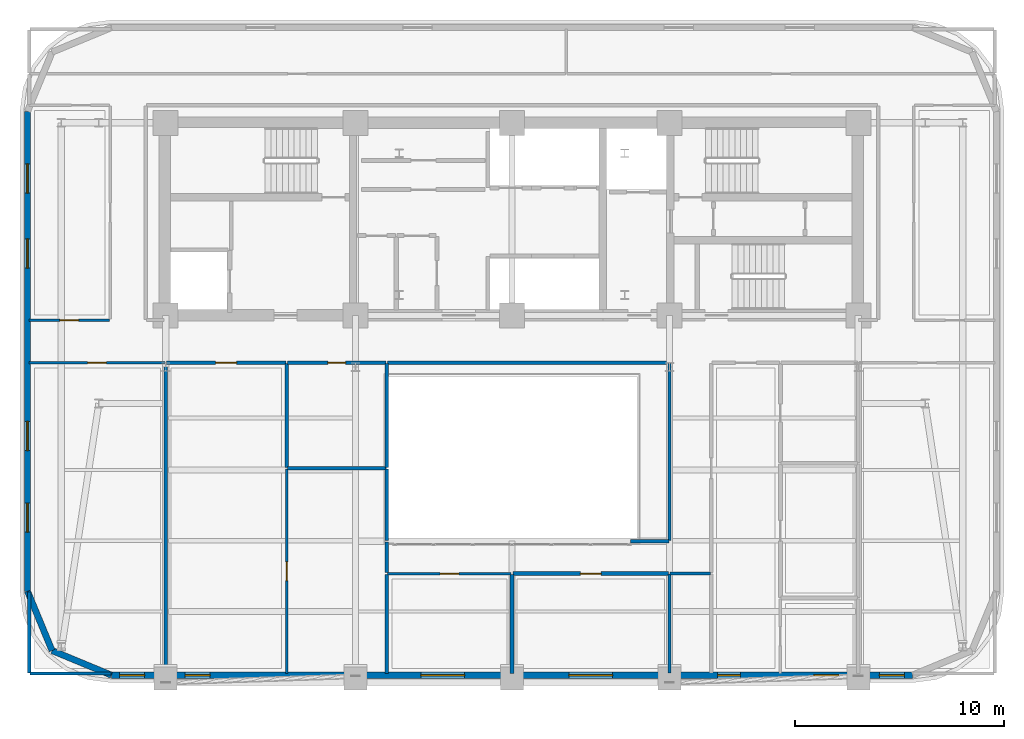
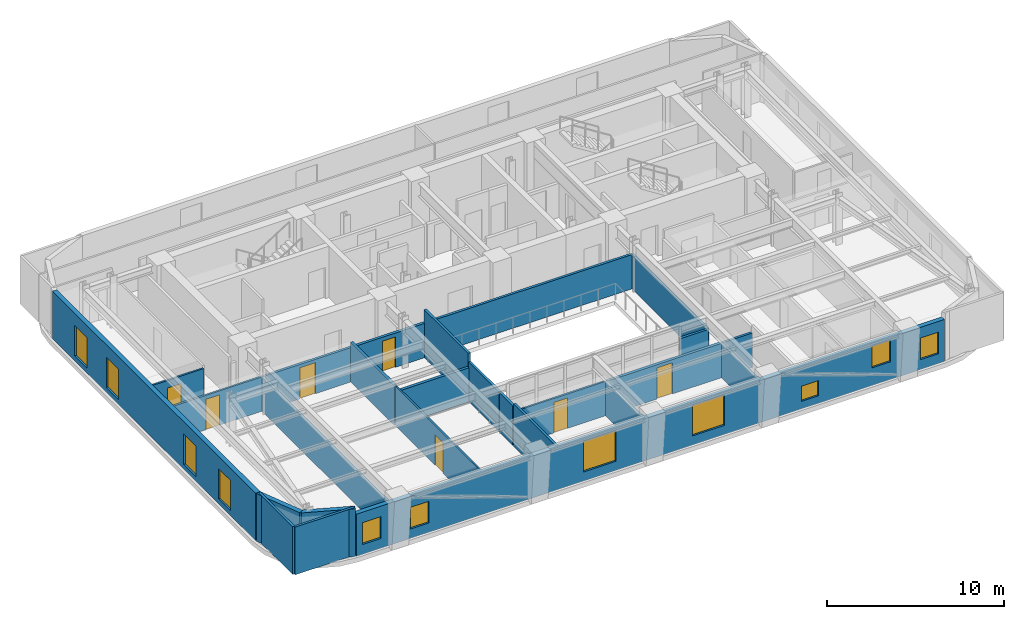
# One storey, part 6 of 12: 26 walls, 11 windows, 7 doors, 18 openings.
"""IFC4 building model written with IfcOpenShell, lengths in metres."""

from ifc_helpers import new_model, si_unit, direction, frame, frame_2d, origin, place, context, subcontext, project, spatial, rectangle, extrude, material, layer, layer_set, type_object, element, fill, save


model = new_model("IFC4")

# Units and contexts
model_context = context("Model", 3, precision=1e-05, world=origin(), true_north=direction((0.0, 1.0)))
body_context = subcontext(model_context, "Body", "Model", "MODEL_VIEW")
ifc_project = project(units=[si_unit("LENGTHUNIT", "METRE"), si_unit("AREAUNIT", "SQUARE_METRE"), si_unit("VOLUMEUNIT", "CUBIC_METRE"), si_unit("PLANEANGLEUNIT", "RADIAN"), si_unit("MASSUNIT", "GRAM", prefix="KILO")], contexts=[model_context])

# Site, building, storey
site_placement = place(None, origin())
site = spatial("IfcSite", under=ifc_project, at=site_placement, CompositionType="ELEMENT")
building_placement = place(site_placement, origin())
building = spatial("IfcBuilding", under=site, at=building_placement, Name="Zarnavel Station Tower", CompositionType="ELEMENT")
storey_placement = place(building_placement, frame((0.0, 0.0, 173.199951171875)))
storey = spatial("IfcBuildingStorey", under=building, at=storey_placement, Name="L47", CompositionType="ELEMENT", Elevation=173.199951171875)

# Wall, openings, windows
ifc_material_1 = material(Name="Precast concrete C45/55 (Dark Basalt Finish)", Category="masonry")
ifc_layer_1 = layer(ifc_material_1, 0.300048828125)
ifc_layer_set_1 = layer_set([ifc_layer_1], Name="EW_BASALT_300")
wall_type_1 = type_object("IfcWallType", Name="EW_BASALT_300", PredefinedType="SOLIDWALL", material=ifc_layer_set_1)
wall_1_placement = place(storey_placement, frame((5.580078125, 14.60009765625, 0.0), z_axis=(0.0, 0.0, 1.0), x_axis=(0.0, 1.0, 0.0)))
wall_1 = element("IfcWall", 1, at=wall_1_placement, inside=storey, type_object=wall_type_1, Name="L47 Exterior Basalt Masonry Frame Wall 09", PredefinedType="SOLIDWALL", context=body_context, shape_type="SweptSolid", body=[
    extrude(rectangle(XDim=23.0, YDim=0.300048828125, at=frame_2d((11.5, 0.0))), origin(), (0.0, 0.0, 1.0), 3.2900390625),
])
opening_1_placement = place(wall_1_placement, frame((15.493408203125, 0.0, 0.340087890625)))
opening_1 = element("IfcOpeningElement", 2, at=opening_1_placement, cuts=wall_1, Name="Opening WN04", PredefinedType="OPENING", context=body_context, shape_type="SweptSolid", body=[
    extrude(rectangle(XDim=1.39990234375, YDim=2.10009765625, at=frame_2d((0.699951171875, 1.050048828125))), frame((0.0, 0.159912109375, 0.0), z_axis=(0.0, -1.0, 0.0), x_axis=(1.0, 0.0, 0.0)), (0.0, 0.0, 1.0), 0.320068359375),
])
opening_2_placement = place(wall_1_placement, frame((19.086669921875, 0.0, 0.340087890625)))
opening_2 = element("IfcOpeningElement", 3, at=opening_2_placement, cuts=wall_1, Name="Opening WN04", PredefinedType="OPENING", context=body_context, shape_type="SweptSolid", body=[
    extrude(rectangle(XDim=1.39990234375, YDim=2.10009765625, at=frame_2d((0.699951171875, 1.050048828125))), frame((0.0, 0.159912109375, 0.0), z_axis=(0.0, -1.0, 0.0), x_axis=(1.0, 0.0, 0.0)), (0.0, 0.0, 1.0), 0.320068359375),
])
opening_3_placement = place(wall_1_placement, frame((2.830078125, 0.0, 0.340087890625)))
opening_3 = element("IfcOpeningElement", 4, at=opening_3_placement, cuts=wall_1, Name="Opening WN04", PredefinedType="OPENING", context=body_context, shape_type="SweptSolid", body=[
    extrude(rectangle(XDim=1.39990234375, YDim=2.10009765625, at=frame_2d((0.699951171875, 1.050048828125))), frame((0.0, 0.159912109375, 0.0), z_axis=(0.0, -1.0, 0.0), x_axis=(1.0, 0.0, 0.0)), (0.0, 0.0, 1.0), 0.320068359375),
])
opening_4_placement = place(wall_1_placement, frame((6.739990234375, 0.0, 0.340087890625)))
opening_4 = element("IfcOpeningElement", 5, at=opening_4_placement, cuts=wall_1, Name="Opening WN04", PredefinedType="OPENING", context=body_context, shape_type="SweptSolid", body=[
    extrude(rectangle(XDim=1.39990234375, YDim=2.10009765625, at=frame_2d((0.699951171875, 1.050048828125))), frame((0.0, 0.159912109375, 0.0), z_axis=(0.0, -1.0, 0.0), x_axis=(1.0, 0.0, 0.0)), (0.0, 0.0, 1.0), 0.320068359375),
])
ifc_material_2 = material(Name="Thermally Broken Black Aluminium and Low-E Dark Glass", Category="aluminium")
window_type_1 = type_object("IfcWindowType", Name="WN_1400x2100", PartitioningType="DOUBLE_PANEL_VERTICAL", PredefinedType="WINDOW", material=ifc_material_2)
window_1_placement = place(opening_1_placement, origin())
window_1 = element("IfcWindow", 6, at=window_1_placement, inside=storey, type_object=window_type_1, Name="L47 Recessed Facade Window 01", OverallHeight=2.10009765625, OverallWidth=1.39990234375, PartitioningType="SINGLE_PANEL", PredefinedType="WINDOW", context=body_context, shape_type="SweptSolid", body=[
    extrude(rectangle(XDim=1.39990234375, YDim=2.10009765625, at=frame_2d((0.699951171875, 1.050048828125))), frame((0.0, 0.030029296875, 0.0), z_axis=(0.0, -1.0, 0.0), x_axis=(1.0, 0.0, 0.0)), (0.0, 0.0, 1.0), 0.06005859375),
])
fill(opening_1, window_1)
window_2_placement = place(opening_2_placement, origin())
window_2 = element("IfcWindow", 7, at=window_2_placement, inside=storey, type_object=window_type_1, Name="L47 Recessed Facade Window 02", OverallHeight=2.10009765625, OverallWidth=1.39990234375, PartitioningType="SINGLE_PANEL", PredefinedType="WINDOW", context=body_context, shape_type="SweptSolid", body=[
    extrude(rectangle(XDim=1.39990234375, YDim=2.10009765625, at=frame_2d((0.699951171875, 1.050048828125))), frame((0.0, 0.030029296875, 0.0), z_axis=(0.0, -1.0, 0.0), x_axis=(1.0, 0.0, 0.0)), (0.0, 0.0, 1.0), 0.06005859375),
])
fill(opening_2, window_2)
window_3_placement = place(opening_3_placement, origin())
window_3 = element("IfcWindow", 8, at=window_3_placement, inside=storey, type_object=window_type_1, Name="L47 Recessed Facade Window 03", OverallHeight=2.10009765625, OverallWidth=1.39990234375, PartitioningType="SINGLE_PANEL", PredefinedType="WINDOW", context=body_context, shape_type="SweptSolid", body=[
    extrude(rectangle(XDim=1.39990234375, YDim=2.10009765625, at=frame_2d((0.699951171875, 1.050048828125))), frame((0.0, 0.030029296875, 0.0), z_axis=(0.0, -1.0, 0.0), x_axis=(1.0, 0.0, 0.0)), (0.0, 0.0, 1.0), 0.06005859375),
])
fill(opening_3, window_3)
window_4_placement = place(opening_4_placement, origin())
window_4 = element("IfcWindow", 9, at=window_4_placement, inside=storey, type_object=window_type_1, Name="L47 Recessed Facade Window 04", OverallHeight=2.10009765625, OverallWidth=1.39990234375, PartitioningType="SINGLE_PANEL", PredefinedType="WINDOW", context=body_context, shape_type="SweptSolid", body=[
    extrude(rectangle(XDim=1.39990234375, YDim=2.10009765625, at=frame_2d((0.699951171875, 1.050048828125))), frame((0.0, 0.030029296875, 0.0), z_axis=(0.0, -1.0, 0.0), x_axis=(1.0, 0.0, 0.0)), (0.0, 0.0, 1.0), 0.06005859375),
])
fill(opening_4, window_4)

# Walls
for number, where, z_axis, x_axis, name in (
    (10, (6.75732421875, 11.75732421875, 0.0), (0.0, 0.0, 1.0), (-0.382608747773, 0.923910464346, 0.0), "L47 Exterior Basalt Masonry Frame Wall 10"),
    (11, (9.60009765625, 10.580078125, 0.0), (0.0, 0.0, 1.0), (-0.923910464346, 0.382608747773, 0.0), "L47 Exterior Basalt Masonry Frame Wall 11"),
):
    element("IfcWall", number, at=place(storey_placement, frame(where, z_axis=z_axis, x_axis=x_axis)), inside=storey, type_object=wall_type_1, Name=name, PredefinedType="SOLIDWALL", context=body_context, shape_type="SweptSolid", body=[
        extrude(rectangle(XDim=3.076904296875, YDim=0.300048828125, at=frame_2d((1.53857421875, 0.0))), origin(), (0.0, 0.0, 1.0), 3.2900390625),
    ])

# Wall, openings, windows
wall_2_placement = place(storey_placement, frame((48.0, 10.580078125, 0.0), z_axis=(0.0, 0.0, 1.0), x_axis=(-1.0, 0.0, 0.0)))
wall_2 = element("IfcWall", 12, at=wall_2_placement, inside=storey, type_object=wall_type_1, Name="L47 Exterior Basalt Masonry Frame Wall 12", PredefinedType="SOLIDWALL", context=body_context, shape_type="SweptSolid", body=[
    extrude(rectangle(XDim=38.39990234375, YDim=0.300048828125, at=frame_2d((19.199951171875, 0.0))), origin(), (0.0, 0.0, 1.0), 2.91015625),
])
opening_5_placement = place(wall_2_placement, frame((36.8076171875, 0.0, 0.679931640625)))
opening_5 = element("IfcOpeningElement", 13, at=opening_5_placement, cuts=wall_2, Name="Opening WN08", PredefinedType="OPENING", context=body_context, shape_type="SweptSolid", body=[
    extrude(rectangle(XDim=1.199951171875, YDim=1.5, at=frame_2d((0.60009765625, 0.75))), frame((0.0, 0.159912109375, 0.0), z_axis=(0.0, -1.0, 0.0), x_axis=(1.0, 0.0, 0.0)), (0.0, 0.0, 1.0), 0.320068359375),
])
opening_6_placement = place(wall_2_placement, frame((33.6650390625, 0.0, 0.64990234375)))
opening_6 = element("IfcOpeningElement", 14, at=opening_6_placement, cuts=wall_2, Name="Opening WN08", PredefinedType="OPENING", context=body_context, shape_type="SweptSolid", body=[
    extrude(rectangle(XDim=1.199951171875, YDim=1.5, at=frame_2d((0.60009765625, 0.75))), frame((0.0, 0.159912109375, 0.0), z_axis=(0.0, -1.0, 0.0), x_axis=(1.0, 0.0, 0.0)), (0.0, 0.0, 1.0), 0.320068359375),
])
opening_7_placement = place(wall_2_placement, frame((21.467529296875, 0.0, 0.6298828125)))
opening_7 = element("IfcOpeningElement", 15, at=opening_7_placement, cuts=wall_2, Name="Opening WN05", PredefinedType="OPENING", context=body_context, shape_type="SweptSolid", body=[
    extrude(rectangle(XDim=2.10009765625, YDim=2.10009765625, at=frame_2d((1.050048828125, 1.050048828125))), frame((0.0, 0.159912109375, 0.0), z_axis=(0.0, -1.0, 0.0), x_axis=(1.0, 0.0, 0.0)), (0.0, 0.0, 1.0), 0.320068359375),
])
opening_8_placement = place(wall_2_placement, frame((14.375, 0.0, 0.6298828125)))
opening_8 = element("IfcOpeningElement", 16, at=opening_8_placement, cuts=wall_2, Name="Opening WN05", PredefinedType="OPENING", context=body_context, shape_type="SweptSolid", body=[
    extrude(rectangle(XDim=2.10009765625, YDim=2.10009765625, at=frame_2d((1.050048828125, 1.050048828125))), frame((0.0, 0.159912109375, 0.0), z_axis=(0.0, -1.0, 0.0), x_axis=(1.0, 0.0, 0.0)), (0.0, 0.0, 1.0), 0.320068359375),
])
opening_9_placement = place(wall_2_placement, frame((8.25, 0.0, 0.52001953125)))
opening_9 = element("IfcOpeningElement", 17, at=opening_9_placement, cuts=wall_2, Name="Opening WN09", PredefinedType="OPENING", context=body_context, shape_type="SweptSolid", body=[
    extrude(rectangle(XDim=1.10009765625, YDim=1.050048828125, at=frame_2d((0.550048828125, 0.52490234375))), frame((0.0, 0.159912109375, 0.0), z_axis=(0.0, -1.0, 0.0), x_axis=(1.0, 0.0, 0.0)), (0.0, 0.0, 1.0), 0.320068359375),
])
opening_10_placement = place(wall_2_placement, frame((3.534912109375, 0.0, 1.219970703125)))
opening_10 = element("IfcOpeningElement", 18, at=opening_10_placement, cuts=wall_2, Name="Opening WN08", PredefinedType="OPENING", context=body_context, shape_type="SweptSolid", body=[
    extrude(rectangle(XDim=1.199951171875, YDim=1.5, at=frame_2d((0.60009765625, 0.75))), frame((0.0, 0.159912109375, 0.0), z_axis=(0.0, -1.0, 0.0), x_axis=(1.0, 0.0, 0.0)), (0.0, 0.0, 1.0), 0.320068359375),
])
opening_11_placement = place(wall_2_placement, frame((0.392578125, 0.0, 0.679931640625)))
opening_11 = element("IfcOpeningElement", 19, at=opening_11_placement, cuts=wall_2, Name="Opening WN08", PredefinedType="OPENING", context=body_context, shape_type="SweptSolid", body=[
    extrude(rectangle(XDim=1.199951171875, YDim=1.5, at=frame_2d((0.60009765625, 0.75))), frame((0.0, 0.159912109375, 0.0), z_axis=(0.0, -1.0, 0.0), x_axis=(1.0, 0.0, 0.0)), (0.0, 0.0, 1.0), 0.320068359375),
])
ifc_material_3 = material(Name="Thermally Broken Black Aluminium and Low-E Dark Glass", Category="aluminium")
window_type_2 = type_object("IfcWindowType", Name="WN_1100x1050", PartitioningType="SINGLE_PANEL", PredefinedType="WINDOW", material=ifc_material_3)
window_5_placement = place(opening_9_placement, origin())
window_5 = element("IfcWindow", 20, at=window_5_placement, inside=storey, type_object=window_type_2, Name="L47 Recessed Facade Window 05", OverallHeight=1.050048828125, OverallWidth=1.10009765625, PartitioningType="SINGLE_PANEL", PredefinedType="WINDOW", context=body_context, shape_type="SweptSolid", body=[
    extrude(rectangle(XDim=1.10009765625, YDim=1.050048828125, at=frame_2d((0.550048828125, 0.52490234375))), frame((0.0, 0.030029296875, 0.0), z_axis=(0.0, -1.0, 0.0), x_axis=(1.0, 0.0, 0.0)), (0.0, 0.0, 1.0), 0.06005859375),
])
fill(opening_9, window_5)
ifc_material_4 = material(Name="Thermally Broken Black Aluminium and Low-E Dark Glass", Category="aluminium")
window_type_3 = type_object("IfcWindowType", Name="WN_1200x1500", PartitioningType="SINGLE_PANEL", PredefinedType="WINDOW", material=ifc_material_4)
window_6_placement = place(opening_5_placement, origin())
window_6 = element("IfcWindow", 21, at=window_6_placement, inside=storey, type_object=window_type_3, Name="L47 Recessed Facade Window 01", OverallHeight=1.5, OverallWidth=1.199951171875, PartitioningType="SINGLE_PANEL", PredefinedType="WINDOW", context=body_context, shape_type="SweptSolid", body=[
    extrude(rectangle(XDim=1.199951171875, YDim=1.5, at=frame_2d((0.60009765625, 0.75))), frame((0.0, 0.030029296875, 0.0), z_axis=(0.0, -1.0, 0.0), x_axis=(1.0, 0.0, 0.0)), (0.0, 0.0, 1.0), 0.06005859375),
])
fill(opening_5, window_6)
window_7_placement = place(opening_6_placement, origin())
window_7 = element("IfcWindow", 22, at=window_7_placement, inside=storey, type_object=window_type_3, Name="L47 Recessed Facade Window 02", OverallHeight=1.5, OverallWidth=1.199951171875, PartitioningType="SINGLE_PANEL", PredefinedType="WINDOW", context=body_context, shape_type="SweptSolid", body=[
    extrude(rectangle(XDim=1.199951171875, YDim=1.5, at=frame_2d((0.60009765625, 0.75))), frame((0.0, 0.030029296875, 0.0), z_axis=(0.0, -1.0, 0.0), x_axis=(1.0, 0.0, 0.0)), (0.0, 0.0, 1.0), 0.06005859375),
])
fill(opening_6, window_7)
window_8_placement = place(opening_10_placement, origin())
window_8 = element("IfcWindow", 23, at=window_8_placement, inside=storey, type_object=window_type_3, Name="L47 Recessed Facade Window 06", OverallHeight=1.5, OverallWidth=1.199951171875, PartitioningType="SINGLE_PANEL", PredefinedType="WINDOW", context=body_context, shape_type="SweptSolid", body=[
    extrude(rectangle(XDim=1.199951171875, YDim=1.5, at=frame_2d((0.60009765625, 0.75))), frame((0.0, 0.030029296875, 0.0), z_axis=(0.0, -1.0, 0.0), x_axis=(1.0, 0.0, 0.0)), (0.0, 0.0, 1.0), 0.06005859375),
])
fill(opening_10, window_8)
window_9_placement = place(opening_11_placement, origin())
window_9 = element("IfcWindow", 24, at=window_9_placement, inside=storey, type_object=window_type_3, Name="L47 Recessed Facade Window 07", OverallHeight=1.5, OverallWidth=1.199951171875, PartitioningType="SINGLE_PANEL", PredefinedType="WINDOW", context=body_context, shape_type="SweptSolid", body=[
    extrude(rectangle(XDim=1.199951171875, YDim=1.5, at=frame_2d((0.60009765625, 0.75))), frame((0.0, 0.030029296875, 0.0), z_axis=(0.0, -1.0, 0.0), x_axis=(1.0, 0.0, 0.0)), (0.0, 0.0, 1.0), 0.06005859375),
])
fill(opening_11, window_9)
ifc_material_5 = material(Name="Thermally Broken Black Aluminium and Low-E Dark Glass", Category="aluminium")
window_type_4 = type_object("IfcWindowType", Name="WN_2100x2100", PartitioningType="TRIPLE_PANEL_VERTICAL", PredefinedType="WINDOW", material=ifc_material_5)
window_10_placement = place(opening_7_placement, origin())
window_10 = element("IfcWindow", 25, at=window_10_placement, inside=storey, type_object=window_type_4, Name="L47 Recessed Facade Window 03", OverallHeight=2.10009765625, OverallWidth=2.10009765625, PartitioningType="SINGLE_PANEL", PredefinedType="WINDOW", context=body_context, shape_type="SweptSolid", body=[
    extrude(rectangle(XDim=2.10009765625, YDim=2.10009765625, at=frame_2d((1.050048828125, 1.050048828125))), frame((0.0, 0.030029296875, 0.0), z_axis=(0.0, -1.0, 0.0), x_axis=(1.0, 0.0, 0.0)), (0.0, 0.0, 1.0), 0.06005859375),
])
fill(opening_7, window_10)
window_11_placement = place(opening_8_placement, origin())
window_11 = element("IfcWindow", 26, at=window_11_placement, inside=storey, type_object=window_type_4, Name="L47 Recessed Facade Window 04", OverallHeight=2.10009765625, OverallWidth=2.10009765625, PartitioningType="SINGLE_PANEL", PredefinedType="WINDOW", context=body_context, shape_type="SweptSolid", body=[
    extrude(rectangle(XDim=2.10009765625, YDim=2.10009765625, at=frame_2d((1.050048828125, 1.050048828125))), frame((0.0, 0.030029296875, 0.0), z_axis=(0.0, -1.0, 0.0), x_axis=(1.0, 0.0, 0.0)), (0.0, 0.0, 1.0), 0.06005859375),
])
fill(opening_8, window_11)

# Wall, opening, door
ifc_material_6 = material(Name="Gypsum Twin-Stud Acoustic Fire Partition", Category="concrete")
ifc_layer_2 = layer(ifc_material_6, 0.159912109375)
ifc_layer_set_2 = layer_set([ifc_layer_2], Name="PT_DEMISE_160")
wall_type_2 = type_object("IfcWallType", Name="PT_DEMISE_160", PredefinedType="PARTITIONING", material=ifc_layer_set_2)
wall_3_placement = place(storey_placement, frame((12.239990234375, 25.550048828125, 0.0), z_axis=(0.0, 0.0, 1.0), x_axis=(1.0, 0.0, 0.0)))
wall_3 = element("IfcWall", 27, at=wall_3_placement, inside=storey, type_object=wall_type_2, Name="L47 Partition COR-S-L47TRM", PredefinedType="PARTITIONING", context=body_context, shape_type="SweptSolid", body=[
    extrude(rectangle(XDim=5.719970703125, YDim=0.159912109375, at=frame_2d((2.85986328125, 0.0))), origin(), (0.0, 0.0, 1.0), 2.3701171875),
])
opening_12_placement = place(wall_3_placement, frame((2.360107421875, 0.0, 0.0)))
opening_12 = element("IfcOpeningElement", 28, at=opening_12_placement, cuts=wall_3, Name="Opening FD02", PredefinedType="OPENING", context=body_context, shape_type="SweptSolid", body=[
    extrude(rectangle(XDim=1.0, YDim=2.14990234375, at=frame_2d((0.5, 1.074951171875))), frame((0.0, 0.08984375, 0.0), z_axis=(0.0, -1.0, 0.0), x_axis=(1.0, 0.0, 0.0)), (0.0, 0.0, 1.0), 0.179931640625),
])
ifc_material_7 = material(Name="Painted Galvanised Steel and Hardwood Leaf", Category="steel")
door_type_1 = type_object("IfcDoorType", Name="ID_ENTRY_1000", OperationType="NOTDEFINED", PredefinedType="DOOR", material=ifc_material_7)
door_1_placement = place(opening_12_placement, origin())
door_1 = element("IfcDoor", 29, at=door_1_placement, inside=storey, type_object=door_type_1, Name="L47 Door COR-S-L47TRM", OperationType="SINGLE_SWING_LEFT", OverallHeight=2.14990234375, OverallWidth=1.0, PredefinedType="DOOR", context=body_context, shape_type="SweptSolid", body=[
    extrude(rectangle(XDim=1.0, YDim=2.14990234375, at=frame_2d((0.5, 1.074951171875))), frame((0.0, 0.02490234375, 0.0), z_axis=(0.0, -1.0, 0.0), x_axis=(1.0, 0.0, 0.0)), (0.0, 0.0, 1.0), 0.050048828125),
])
fill(opening_12, door_1)

# Walls
wall_4_placement = place(storey_placement, frame((22.800048828125, 15.489990234375, 0.0), z_axis=(0.0, 0.0, 1.0), x_axis=(0.0, 1.0, 0.0)))
element("IfcWall", 30, at=wall_4_placement, inside=storey, type_object=wall_type_2, Name="L47 Partition COR-AS-L47STR", PredefinedType="PARTITIONING", context=body_context, shape_type="SweptSolid", body=[
    extrude(rectangle(XDim=1.469970703125, YDim=0.159912109375, at=frame_2d((0.73486328125, 0.0))), origin(), (0.0, 0.0, 1.0), 2.72998046875),
])
wall_5_placement = place(storey_placement, frame((12.199951171875, 10.659912109375, 0.0), z_axis=(0.0, 0.0, 1.0), x_axis=(0.0, 1.0, 0.0)))
element("IfcWall", 31, at=wall_5_placement, inside=storey, type_object=wall_type_2, Name="L47 Partition L47SPA-L47TRM", PredefinedType="PARTITIONING", context=body_context, shape_type="SweptSolid", body=[
    extrude(rectangle(XDim=14.85009765625, YDim=0.159912109375, at=frame_2d((7.425048828125, 0.0))), origin(), (0.0, 0.0, 1.0), 2.3701171875),
])
wall_6_placement = place(storey_placement, frame((22.800048828125, 10.659912109375, 0.0), z_axis=(0.0, 0.0, 1.0), x_axis=(0.0, 1.0, 0.0)))
element("IfcWall", 32, at=wall_6_placement, inside=storey, type_object=wall_type_2, Name="L47 Partition L47STR-L47DIN", PredefinedType="PARTITIONING", context=body_context, shape_type="SweptSolid", body=[
    extrude(rectangle(XDim=4.75, YDim=0.159912109375, at=frame_2d((2.375, 0.0))), origin(), (0.0, 0.0, 1.0), 2.91015625),
])
wall_7_placement = place(storey_placement, frame((22.830078125, 25.550048828125, 0.0), z_axis=(0.0, 0.0, 1.0), x_axis=(1.0, 0.0, 0.0)))
element("IfcWall", 33, at=wall_7_placement, inside=storey, type_object=wall_type_2, Name="L47 Enclosure Wall COR-S", PredefinedType="PARTITIONING", context=body_context, shape_type="SweptSolid", body=[
    extrude(rectangle(XDim=13.489990234375, YDim=0.159912109375, at=frame_2d((6.7451171875, 0.0))), origin(), (0.0, 0.0, 1.0), 2.3701171875),
])
wall_8_placement = place(storey_placement, frame((36.3798828125, 15.449951171875, 0.0), z_axis=(0.0, 0.0, 1.0), x_axis=(1.0, 0.0, 0.0)))
element("IfcWall", 34, at=wall_8_placement, inside=storey, type_object=wall_type_2, Name="L47 Enclosure Wall COR-AE", PredefinedType="PARTITIONING", context=body_context, shape_type="SweptSolid", body=[
    extrude(rectangle(XDim=1.940185546875, YDim=0.159912109375, at=frame_2d((0.97021484375, 0.0))), origin(), (0.0, 0.0, 1.0), 2.3701171875),
])
wall_9_placement = place(storey_placement, frame((36.35009765625, 17.030029296875, 0.0), z_axis=(0.0, 0.0, 1.0), x_axis=(0.0, 1.0, 0.0)))
element("IfcWall", 35, at=wall_9_placement, inside=storey, type_object=wall_type_2, Name="L47 Enclosure Wall COR-AE", PredefinedType="PARTITIONING", context=body_context, shape_type="SweptSolid", body=[
    extrude(rectangle(XDim=8.489990234375, YDim=0.159912109375, at=frame_2d((4.2451171875, 0.0))), origin(), (0.0, 0.0, 1.0), 2.3701171875),
])
wall_10_placement = place(storey_placement, frame((34.47998046875, 17.0, 0.0), z_axis=(0.0, 0.0, 1.0), x_axis=(1.0, 0.0, 0.0)))
element("IfcWall", 36, at=wall_10_placement, inside=storey, type_object=wall_type_2, Name="L47 Enclosure Wall COR-AS", PredefinedType="PARTITIONING", context=body_context, shape_type="SweptSolid", body=[
    extrude(rectangle(XDim=1.840087890625, YDim=0.159912109375, at=frame_2d((0.919921875, 0.0))), origin(), (0.0, 0.0, 1.0), 2.3701171875),
])
for number, where, z_axis, x_axis, name in (
    (37, (5.68994140625, 10.659912109375, 0.0), (0.0, 0.0, 1.0), (1.0, 0.0, 0.0), "L47 Enclosure Wall L47SPA"),
    (38, (5.659912109375, 10.68994140625, 0.0), (0.0, 0.0, 1.0), (0.0, 1.0, 0.0), "L47 Enclosure Wall L47SPA"),
):
    element("IfcWall", number, at=place(storey_placement, frame(where, z_axis=z_axis, x_axis=x_axis)), inside=storey, type_object=wall_type_2, Name=name, PredefinedType="PARTITIONING", context=body_context, shape_type="SweptSolid", body=[
        extrude(rectangle(XDim=3.880126953125, YDim=0.159912109375, at=frame_2d((1.93994140625, 0.0))), origin(), (0.0, 0.0, 1.0), 3.2900390625),
    ])
wall_11_placement = place(storey_placement, frame((22.800048828125, 20.530029296875, 0.0), z_axis=(0.0, 0.0, 1.0), x_axis=(0.0, 1.0, 0.0)))
element("IfcWall", 39, at=wall_11_placement, inside=storey, type_object=wall_type_2, Name="L47 Enclosure Wall L47WCA", PredefinedType="PARTITIONING", context=body_context, shape_type="SweptSolid", body=[
    extrude(rectangle(XDim=4.989990234375, YDim=0.159912109375, at=frame_2d((2.4951171875, 0.0))), origin(), (0.0, 0.0, 1.0), 3.2900390625),
])
wall_12_placement = place(storey_placement, frame((22.800048828125, 17.030029296875, 0.0), z_axis=(0.0, 0.0, 1.0), x_axis=(0.0, 1.0, 0.0)))
element("IfcWall", 40, at=wall_12_placement, inside=storey, type_object=wall_type_2, Name="L47 Enclosure Wall L47STR", PredefinedType="PARTITIONING", context=body_context, shape_type="SweptSolid", body=[
    extrude(rectangle(XDim=3.43994140625, YDim=0.159912109375, at=frame_2d((1.719970703125, 0.0))), origin(), (0.0, 0.0, 1.0), 2.72998046875),
])
wall_13_placement = place(storey_placement, frame((36.35009765625, 10.68994140625, 0.0), z_axis=(0.0, 0.0, 1.0), x_axis=(0.0, 1.0, 0.0)))
element("IfcWall", 41, at=wall_13_placement, inside=storey, type_object=wall_type_2, Name="L47 Enclosure Wall L47KIT", PredefinedType="PARTITIONING", context=body_context, shape_type="SweptSolid", body=[
    extrude(rectangle(XDim=4.72998046875, YDim=0.159912109375, at=frame_2d((2.364990234375, 0.0))), origin(), (0.0, 0.0, 1.0), 2.3701171875),
])

# Wall, opening, door
ifc_material_8 = material(Name="Gypsum Metal-Stud Interior Partition", Category="concrete")
ifc_layer_3 = layer(ifc_material_8, 0.1201171875)
ifc_layer_set_3 = layer_set([ifc_layer_3], Name="PT_ROOM_120")
wall_type_3 = type_object("IfcWallType", Name="PT_ROOM_120", PredefinedType="PARTITIONING", material=ifc_layer_set_3)
wall_14_placement = place(storey_placement, frame((5.659912109375, 27.60009765625, 0.0), z_axis=(0.0, 0.0, 1.0), x_axis=(1.0, 0.0, 0.0)))
wall_14 = element("IfcWall", 42, at=wall_14_placement, inside=storey, type_object=wall_type_3, Name="L47 Partition COR-S-FNW", PredefinedType="PARTITIONING", context=body_context, shape_type="SweptSolid", body=[
    extrude(rectangle(XDim=3.85009765625, YDim=0.1201171875, at=frame_2d((1.925048828125, 0.0))), origin(), (0.0, 0.0, 1.0), 2.6201171875),
])
opening_13_placement = place(wall_14_placement, frame((1.47509765625, 0.0, 0.0)))
opening_13 = element("IfcOpeningElement", 43, at=opening_13_placement, cuts=wall_14, Name="Opening ID01", PredefinedType="OPENING", context=body_context, shape_type="SweptSolid", body=[
    extrude(rectangle(XDim=0.89990234375, YDim=2.10009765625, at=frame_2d((0.449951171875, 1.050048828125))), frame((0.0, 0.070068359375, 0.0), z_axis=(0.0, -1.0, 0.0), x_axis=(1.0, 0.0, 0.0)), (0.0, 0.0, 1.0), 0.14013671875),
])
ifc_material_9 = material(Name="Painted Galvanised Steel and Hardwood Leaf", Category="steel")
door_type_2 = type_object("IfcDoorType", Name="ID_ROOM_900", OperationType="NOTDEFINED", PredefinedType="DOOR", material=ifc_material_9)
door_2_placement = place(opening_13_placement, origin())
door_2 = element("IfcDoor", 44, at=door_2_placement, inside=storey, type_object=door_type_2, Name="L47 Door COR-S-FNW", OperationType="SINGLE_SWING_RIGHT", OverallHeight=2.10009765625, OverallWidth=0.89990234375, PredefinedType="DOOR", context=body_context, shape_type="SweptSolid", body=[
    extrude(rectangle(XDim=0.89990234375, YDim=2.10009765625, at=frame_2d((0.449951171875, 1.050048828125))), frame((0.0, 0.02490234375, 0.0), z_axis=(0.0, -1.0, 0.0), x_axis=(1.0, 0.0, 0.0)), (0.0, 0.0, 1.0), 0.050048828125),
])
fill(opening_13, door_2)

wall_15_placement = place(storey_placement, frame((5.659912109375, 25.550048828125, 0.0), z_axis=(0.0, 0.0, 1.0), x_axis=(1.0, 0.0, 0.0)))
wall_15 = element("IfcWall", 45, at=wall_15_placement, inside=storey, type_object=wall_type_3, Name="L47 Partition COR-S-L47SPA", PredefinedType="PARTITIONING", context=body_context, shape_type="SweptSolid", body=[
    extrude(rectangle(XDim=6.5, YDim=0.1201171875, at=frame_2d((3.25, 0.0))), origin(), (0.0, 0.0, 1.0), 2.3701171875),
])
opening_14_placement = place(wall_15_placement, frame((2.800048828125, 0.0, 0.0)))
opening_14 = element("IfcOpeningElement", 46, at=opening_14_placement, cuts=wall_15, Name="Opening ID01", PredefinedType="OPENING", context=body_context, shape_type="SweptSolid", body=[
    extrude(rectangle(XDim=0.89990234375, YDim=2.10009765625, at=frame_2d((0.449951171875, 1.050048828125))), frame((0.0, 0.070068359375, 0.0), z_axis=(0.0, -1.0, 0.0), x_axis=(1.0, 0.0, 0.0)), (0.0, 0.0, 1.0), 0.14013671875),
])
door_3_placement = place(opening_14_placement, origin())
door_3 = element("IfcDoor", 47, at=door_3_placement, inside=storey, type_object=door_type_2, Name="L47 Door COR-S-L47SPA", OperationType="SINGLE_SWING_RIGHT", OverallHeight=2.10009765625, OverallWidth=0.89990234375, PredefinedType="DOOR", context=body_context, shape_type="SweptSolid", body=[
    extrude(rectangle(XDim=0.89990234375, YDim=2.10009765625, at=frame_2d((0.449951171875, 1.050048828125))), frame((0.0, 0.02490234375, 0.0), z_axis=(0.0, -1.0, 0.0), x_axis=(1.0, 0.0, 0.0)), (0.0, 0.0, 1.0), 0.050048828125),
])
fill(opening_14, door_3)

wall_16_placement = place(storey_placement, frame((22.840087890625, 15.449951171875, 0.0), z_axis=(0.0, 0.0, 1.0), x_axis=(1.0, 0.0, 0.0)))
wall_16 = element("IfcWall", 48, at=wall_16_placement, inside=storey, type_object=wall_type_3, Name="L47 Partition COR-AS-L47DIN", PredefinedType="PARTITIONING", context=body_context, shape_type="SweptSolid", body=[
    extrude(rectangle(XDim=5.919921875, YDim=0.1201171875, at=frame_2d((2.9599609375, 0.0))), origin(), (0.0, 0.0, 1.0), 2.3701171875),
])
opening_15_placement = place(wall_16_placement, frame((2.510009765625, 0.0, 0.0)))
opening_15 = element("IfcOpeningElement", 49, at=opening_15_placement, cuts=wall_16, Name="Opening ID01", PredefinedType="OPENING", context=body_context, shape_type="SweptSolid", body=[
    extrude(rectangle(XDim=0.89990234375, YDim=2.10009765625, at=frame_2d((0.449951171875, 1.050048828125))), frame((0.0, 0.070068359375, 0.0), z_axis=(0.0, -1.0, 0.0), x_axis=(1.0, 0.0, 0.0)), (0.0, 0.0, 1.0), 0.14013671875),
])
door_4_placement = place(opening_15_placement, origin())
door_4 = element("IfcDoor", 50, at=door_4_placement, inside=storey, type_object=door_type_2, Name="L47 Door COR-AS-L47DIN", OperationType="SINGLE_SWING_RIGHT", OverallHeight=2.10009765625, OverallWidth=0.89990234375, PredefinedType="DOOR", context=body_context, shape_type="SweptSolid", body=[
    extrude(rectangle(XDim=0.89990234375, YDim=2.10009765625, at=frame_2d((0.449951171875, 1.050048828125))), frame((0.0, 0.02490234375, 0.0), z_axis=(0.0, -1.0, 0.0), x_axis=(1.0, 0.0, 0.0)), (0.0, 0.0, 1.0), 0.050048828125),
])
fill(opening_15, door_4)

wall_17_placement = place(storey_placement, frame((18.0, 10.659912109375, 0.0), z_axis=(0.0, 0.0, 1.0), x_axis=(0.0, 1.0, 0.0)))
wall_17 = element("IfcWall", 51, at=wall_17_placement, inside=storey, type_object=wall_type_3, Name="L47 Partition L47TRM-L47STR", PredefinedType="PARTITIONING", context=body_context, shape_type="SweptSolid", body=[
    extrude(rectangle(XDim=9.800048828125, YDim=0.1201171875, at=frame_2d((4.89990234375, 0.0))), origin(), (0.0, 0.0, 1.0), 2.719970703125),
])
opening_16_placement = place(wall_17_placement, frame((4.449951171875, 0.0, 0.0)))
opening_16 = element("IfcOpeningElement", 52, at=opening_16_placement, cuts=wall_17, Name="Opening ID01", PredefinedType="OPENING", context=body_context, shape_type="SweptSolid", body=[
    extrude(rectangle(XDim=0.89990234375, YDim=2.10009765625, at=frame_2d((0.449951171875, 1.050048828125))), frame((0.0, 0.070068359375, 0.0), z_axis=(0.0, -1.0, 0.0), x_axis=(1.0, 0.0, 0.0)), (0.0, 0.0, 1.0), 0.14013671875),
])
door_5_placement = place(opening_16_placement, origin())
door_5 = element("IfcDoor", 53, at=door_5_placement, inside=storey, type_object=door_type_2, Name="L47 Door L47TRM-L47STR", OperationType="SINGLE_SWING_RIGHT", OverallHeight=2.10009765625, OverallWidth=0.89990234375, PredefinedType="DOOR", context=body_context, shape_type="SweptSolid", body=[
    extrude(rectangle(XDim=0.89990234375, YDim=2.10009765625, at=frame_2d((0.449951171875, 1.050048828125))), frame((0.0, 0.02490234375, 0.0), z_axis=(0.0, -1.0, 0.0), x_axis=(1.0, 0.0, 0.0)), (0.0, 0.0, 1.0), 0.050048828125),
])
fill(opening_16, door_5)

ifc_material_10 = material(Name="Moisture-Resistant Plumbing Chase Wall", Category="concrete")
ifc_layer_4 = layer(ifc_material_10, 0.179931640625)
ifc_layer_set_4 = layer_set([ifc_layer_4], Name="PW_PLUMB_180")
wall_type_4 = type_object("IfcWallType", Name="PW_PLUMB_180", PredefinedType="PLUMBINGWALL", material=ifc_layer_set_4)
wall_18_placement = place(storey_placement, frame((18.0400390625, 25.550048828125, 0.0), z_axis=(0.0, 0.0, 1.0), x_axis=(1.0, 0.0, 0.0)))
wall_18 = element("IfcWall", 54, at=wall_18_placement, inside=storey, type_object=wall_type_4, Name="L47 Partition COR-S-L47WCA", PredefinedType="PLUMBINGWALL", context=body_context, shape_type="SweptSolid", body=[
    extrude(rectangle(XDim=4.719970703125, YDim=0.179931640625, at=frame_2d((2.35986328125, 0.0))), origin(), (0.0, 0.0, 1.0), 2.3701171875),
])
opening_17_placement = place(wall_18_placement, frame((1.93505859375, 0.0, 0.0)))
opening_17 = element("IfcOpeningElement", 55, at=opening_17_placement, cuts=wall_18, Name="Opening ID02", PredefinedType="OPENING", context=body_context, shape_type="SweptSolid", body=[
    extrude(rectangle(XDim=0.85009765625, YDim=2.10009765625, at=frame_2d((0.425048828125, 1.050048828125))), frame((0.0, 0.099853515625, 0.0), z_axis=(0.0, -1.0, 0.0), x_axis=(1.0, 0.0, 0.0)), (0.0, 0.0, 1.0), 0.199951171875),
])
ifc_material_11 = material(Name="Painted Galvanised Steel and Hardwood Leaf", Category="steel")
door_type_3 = type_object("IfcDoorType", Name="ID_BATH_850", OperationType="NOTDEFINED", PredefinedType="DOOR", material=ifc_material_11)
door_6_placement = place(opening_17_placement, origin())
door_6 = element("IfcDoor", 56, at=door_6_placement, inside=storey, type_object=door_type_3, Name="L47 Door COR-S-L47WCA", OperationType="SINGLE_SWING_RIGHT", OverallHeight=2.10009765625, OverallWidth=0.85009765625, PredefinedType="DOOR", context=body_context, shape_type="SweptSolid", body=[
    extrude(rectangle(XDim=0.85009765625, YDim=2.10009765625, at=frame_2d((0.425048828125, 1.050048828125))), frame((0.0, 0.02490234375, 0.0), z_axis=(0.0, -1.0, 0.0), x_axis=(1.0, 0.0, 0.0)), (0.0, 0.0, 1.0), 0.050048828125),
])
fill(opening_17, door_6)

wall_19_placement = place(storey_placement, frame((28.840087890625, 15.449951171875, 0.0), z_axis=(0.0, 0.0, 1.0), x_axis=(1.0, 0.0, 0.0)))
wall_19 = element("IfcWall", 57, at=wall_19_placement, inside=storey, type_object=wall_type_4, Name="L47 Partition COR-AS-L47KIT", PredefinedType="PLUMBINGWALL", context=body_context, shape_type="SweptSolid", body=[
    extrude(rectangle(XDim=7.469970703125, YDim=0.179931640625, at=frame_2d((3.73486328125, 0.0))), origin(), (0.0, 0.0, 1.0), 2.3701171875),
])
opening_18_placement = place(wall_19_placement, frame((3.235107421875, 0.0, 0.0)))
opening_18 = element("IfcOpeningElement", 58, at=opening_18_placement, cuts=wall_19, Name="Opening FD02", PredefinedType="OPENING", context=body_context, shape_type="SweptSolid", body=[
    extrude(rectangle(XDim=1.0, YDim=2.14990234375, at=frame_2d((0.5, 1.074951171875))), frame((0.0, 0.099853515625, 0.0), z_axis=(0.0, -1.0, 0.0), x_axis=(1.0, 0.0, 0.0)), (0.0, 0.0, 1.0), 0.199951171875),
])
door_7_placement = place(opening_18_placement, origin())
door_7 = element("IfcDoor", 59, at=door_7_placement, inside=storey, type_object=door_type_1, Name="L47 Door COR-AS-L47KIT", OperationType="SINGLE_SWING_LEFT", OverallHeight=2.14990234375, OverallWidth=1.0, PredefinedType="DOOR", context=body_context, shape_type="SweptSolid", body=[
    extrude(rectangle(XDim=1.0, YDim=2.14990234375, at=frame_2d((0.5, 1.074951171875))), frame((0.0, 0.02490234375, 0.0), z_axis=(0.0, -1.0, 0.0), x_axis=(1.0, 0.0, 0.0)), (0.0, 0.0, 1.0), 0.050048828125),
])
fill(opening_18, door_7)

# Walls
wall_20_placement = place(storey_placement, frame((18.0, 20.5400390625, 0.0), z_axis=(0.0, 0.0, 1.0), x_axis=(0.0, 1.0, 0.0)))
element("IfcWall", 60, at=wall_20_placement, inside=storey, type_object=wall_type_4, Name="L47 Partition L47TRM-L47WCA", PredefinedType="PLUMBINGWALL", context=body_context, shape_type="SweptSolid", body=[
    extrude(rectangle(XDim=4.969970703125, YDim=0.179931640625, at=frame_2d((2.48486328125, 0.0))), origin(), (0.0, 0.0, 1.0), 2.719970703125),
])
wall_21_placement = place(storey_placement, frame((18.0400390625, 20.5, 0.0), z_axis=(0.0, 0.0, 1.0), x_axis=(1.0, 0.0, 0.0)))
element("IfcWall", 61, at=wall_21_placement, inside=storey, type_object=wall_type_4, Name="L47 Partition L47WCA-L47STR", PredefinedType="PLUMBINGWALL", context=body_context, shape_type="SweptSolid", body=[
    extrude(rectangle(XDim=4.719970703125, YDim=0.179931640625, at=frame_2d((2.35986328125, 0.0))), origin(), (0.0, 0.0, 1.0), 2.3701171875),
])
wall_22_placement = place(storey_placement, frame((28.800048828125, 10.659912109375, 0.0), z_axis=(0.0, 0.0, 1.0), x_axis=(0.0, 1.0, 0.0)))
element("IfcWall", 62, at=wall_22_placement, inside=storey, type_object=wall_type_4, Name="L47 Partition L47DIN-L47KIT", PredefinedType="PLUMBINGWALL", context=body_context, shape_type="SweptSolid", body=[
    extrude(rectangle(XDim=4.75, YDim=0.179931640625, at=frame_2d((2.375, 0.0))), origin(), (0.0, 0.0, 1.0), 2.3701171875),
])

save(model, "model.ifc")
